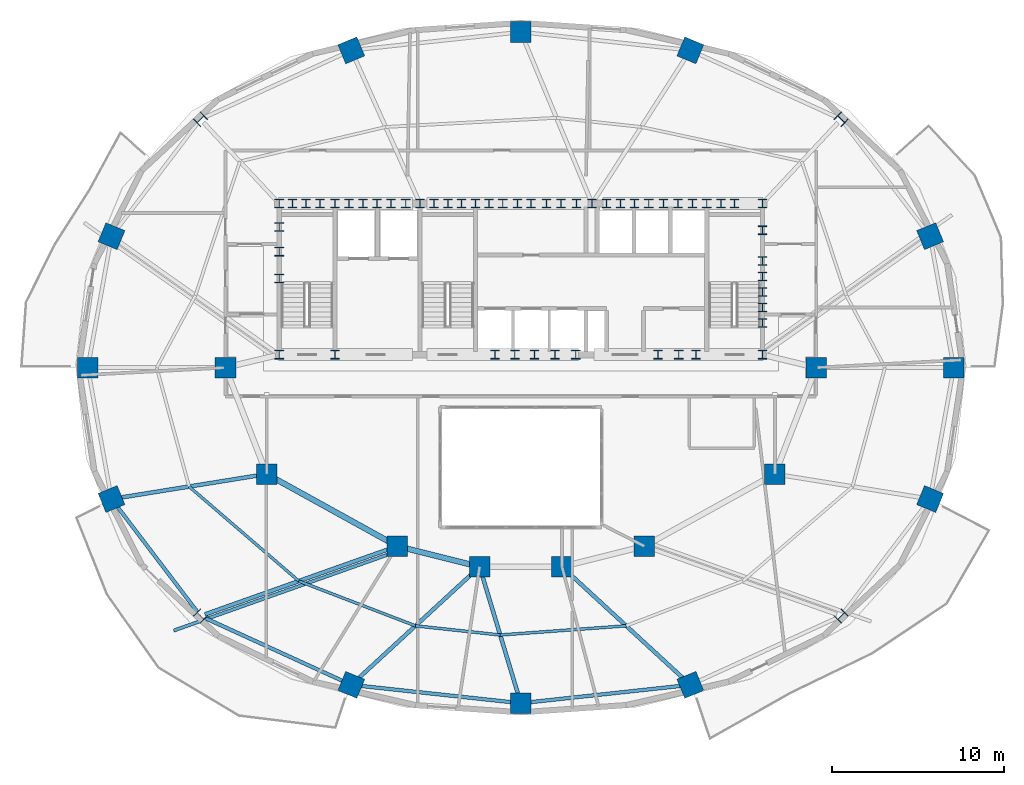
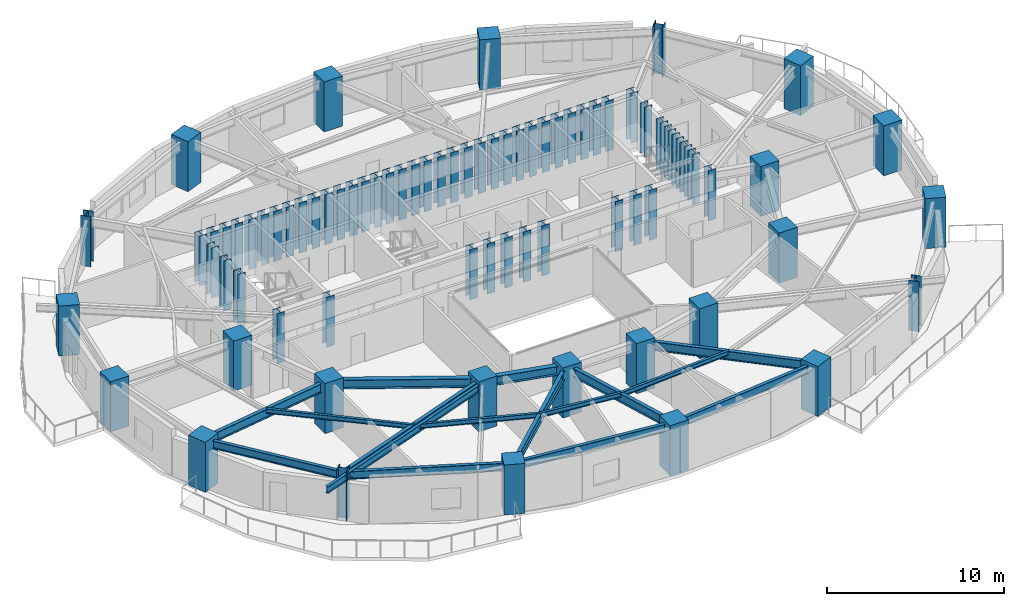
# One storey, part 1 of 11: 78 columns, 16 beams.
"""IFC4 building model written with IfcOpenShell, lengths in metres."""

from ifc_helpers import new_model, si_unit, direction, frame, origin, origin_2d, place, context, subcontext, project, spatial, rectangle, i_section, extrude, material, material_profile, profile_set, type_object, element, save


model = new_model("IFC4")

# Units and contexts
model_context = context("Model", 3, precision=1e-05, world=origin(), true_north=direction((0.0, 1.0)))
body_context = subcontext(model_context, "Body", "Model", "MODEL_VIEW")
ifc_project = project(units=[si_unit("LENGTHUNIT", "METRE"), si_unit("AREAUNIT", "SQUARE_METRE"), si_unit("VOLUMEUNIT", "CUBIC_METRE"), si_unit("PLANEANGLEUNIT", "RADIAN"), si_unit("MASSUNIT", "GRAM", prefix="KILO")], contexts=[model_context])

# Site, building, storey
site_placement = place(None, origin())
site = spatial("IfcSite", under=ifc_project, at=site_placement, CompositionType="ELEMENT")
building_placement = place(site_placement, origin())
building = spatial("IfcBuilding", under=site, at=building_placement, Name="Haldorwick Loom Tower", CompositionType="ELEMENT")
storey_placement = place(building_placement, frame((0.0, 0.0, 164.800048828125)))
storey = spatial("IfcBuildingStorey", under=building, at=storey_placement, Name="L44", CompositionType="ELEMENT", Elevation=164.800048828125)

# Columns
ifc_material_1 = material(Name="Concrete C60 (60 MPa)", Category="concrete")
ifc_material_profile_1 = material_profile(ifc_material_1, rectangle(XDim=1.199951171875, YDim=1.199951171875, at=origin_2d()), Name="RC1200X1200", Category="concrete")
ifc_profile_set_1 = profile_set([ifc_material_profile_1], Name="Concrete C60 (60 MPa)")
column_type_1 = type_object("IfcColumnType", Name="STR-COL-RC1200", PredefinedType="COLUMN", material=ifc_profile_set_1)
for number, where, z_axis, x_axis, name in (
    (1, (53.199951171875, 26.0, 0.0), (0.0, 0.0, 1.0), (1.0, 0.0, 0.0), "L44 Inner Column IC-01"),
    (2, (50.800048828125, 19.800048828125, 0.0), (0.0, 0.0, 1.0), (1.0, 0.0, 0.0), "L44 Inner Column IC-02"),
    (3, (43.199951171875, 15.60009765625, 0.0), (0.0, 0.0, 1.0), (1.0, 0.0, 0.0), "L44 Inner Column IC-03"),
    (4, (38.39990234375, 14.39990234375, 0.0), (0.0, 0.0, 1.0), (1.0, 0.0, 0.0), "L44 Inner Column IC-04"),
    (5, (33.60009765625, 14.39990234375, 0.0), (0.0, 0.0, 1.0), (1.0, 0.0, 0.0), "L44 Inner Column IC-05"),
    (6, (28.800048828125, 15.60009765625, 0.0), (0.0, 0.0, 1.0), (1.0, 0.0, 0.0), "L44 Inner Column IC-06"),
    (7, (21.199951171875, 19.800048828125, 0.0), (0.0, 0.0, 1.0), (1.0, 0.0, 0.0), "L44 Inner Column IC-07"),
    (8, (18.800048828125, 26.0, 0.0), (0.0, 0.0, 1.0), (1.0, 0.0, 0.0), "L44 Inner Column IC-08"),
    (9, (61.217041015625, 26.0, 0.0), (0.0, 0.0, 1.0), (1.0, 0.0, 0.0), "L44 Perimeter Pier Column P01"),
    (10, (59.836181640625, 33.65380859375, 0.0), (0.0, 0.0, 1.0), (0.923879532511, 0.382683432365, 0.0), "L44 Perimeter Pier Column P02"),
    (11, (45.873291015625, 44.4775390625, 0.0), (0.0, 0.0, 1.0), (0.382683432365, 0.923879532511, 0.0), "L44 Perimeter Pier Column P04"),
    (12, (36.0, 45.544677734375, 0.0), (0.0, 0.0, 1.0), (0.0, 1.0, 0.0), "L44 Perimeter Pier Column P05"),
    (13, (26.126708984375, 44.4775390625, 0.0), (0.0, 0.0, 1.0), (-0.382683432365, 0.923879532511, 0.0), "L44 Perimeter Pier Column P06"),
    (14, (12.163818359375, 33.65380859375, 0.0), (0.0, 0.0, 1.0), (-0.923879532511, 0.382683432365, 0.0), "L44 Perimeter Pier Column P08"),
    (15, (10.782958984375, 26.0, 0.0), (0.0, 0.0, 1.0), (-1.0, 0.0, 0.0), "L44 Perimeter Pier Column P09"),
    (16, (12.163818359375, 18.34619140625, 0.0), (0.0, 0.0, 1.0), (-0.923879532511, -0.382683432365, 0.0), "L44 Perimeter Pier Column P10"),
    (17, (26.126708984375, 7.5224609375, 0.0), (0.0, 0.0, 1.0), (-0.382683432365, -0.923879532511, 0.0), "L44 Perimeter Pier Column P12"),
    (18, (36.0, 6.455322265625, 0.0), (0.0, 0.0, 1.0), (0.0, -1.0, 0.0), "L44 Perimeter Pier Column P13"),
    (19, (45.873291015625, 7.5224609375, 0.0), (0.0, 0.0, 1.0), (0.382683432365, -0.923879532511, 0.0), "L44 Perimeter Pier Column P14"),
    (20, (59.836181640625, 18.34619140625, 0.0), (0.0, 0.0, 1.0), (0.923879532511, -0.382683432365, 0.0), "L44 Perimeter Pier Column P16"),
):
    element("IfcColumn", number, at=place(storey_placement, frame(where, z_axis=z_axis, x_axis=x_axis)), inside=storey, type_object=column_type_1, Name=name, PredefinedType="COLUMN", context=body_context, shape_type="SweptSolid", body=[
        extrude(rectangle(XDim=1.199951171875, YDim=1.199951171875, at=origin_2d()), origin(), (0.0, 0.0, 1.0), 3.449951171875),
    ])
ifc_material_2 = material(Name="Steel CSA G40.21 350WT", Category="steel")
ifc_material_profile_2 = material_profile(ifc_material_2, i_section(OverallWidth=0.5, OverallDepth=0.5, WebThickness=0.02197265625, FlangeThickness=0.031982421875, at=origin_2d()), Name="WWF500X500", Category="steel")
ifc_profile_set_2 = profile_set([ifc_material_profile_2], Name="Steel CSA G40.21 350WT")
column_type_2 = type_object("IfcColumnType", Name="STR-COL-WWF500", PredefinedType="COLUMN", material=ifc_profile_set_2)
for number, where, z_axis, x_axis, name in (
    (21, (21.929931640625, 35.550048828125, 0.0), (0.0, 0.0, 1.0), (1.0, 0.0, 0.0), "L44 Core Pilaster CB-01"),
    (22, (23.5, 35.550048828125, 0.0), (0.0, 0.0, 1.0), (1.0, 0.0, 0.0), "L44 Core Pilaster CB-02"),
    (23, (25.169921875, 35.550048828125, 0.0), (0.0, 0.0, 1.0), (1.0, 0.0, 0.0), "L44 Core Pilaster CB-03"),
    (24, (26.800048828125, 35.550048828125, 0.0), (0.0, 0.0, 1.0), (1.0, 0.0, 0.0), "L44 Core Pilaster CB-04"),
    (25, (28.449951171875, 35.550048828125, 0.0), (0.0, 0.0, 1.0), (1.0, 0.0, 0.0), "L44 Core Pilaster CB-05"),
    (26, (30.1298828125, 35.550048828125, 0.0), (0.0, 0.0, 1.0), (1.0, 0.0, 0.0), "L44 Core Pilaster CB-06"),
    (27, (31.75, 35.550048828125, 0.0), (0.0, 0.0, 1.0), (1.0, 0.0, 0.0), "L44 Core Pilaster CB-07"),
    (28, (33.3701171875, 35.550048828125, 0.0), (0.0, 0.0, 1.0), (1.0, 0.0, 0.0), "L44 Core Pilaster CB-08"),
    (29, (34.949951171875, 35.550048828125, 0.0), (0.0, 0.0, 1.0), (1.0, 0.0, 0.0), "L44 Core Pilaster CB-09"),
    (30, (36.60009765625, 35.550048828125, 0.0), (0.0, 0.0, 1.0), (1.0, 0.0, 0.0), "L44 Core Pilaster CB-10"),
    (31, (38.35009765625, 35.550048828125, 0.0), (0.0, 0.0, 1.0), (1.0, 0.0, 0.0), "L44 Core Pilaster CB-11"),
    (32, (40.14990234375, 35.550048828125, 0.0), (0.0, 0.0, 1.0), (1.0, 0.0, 0.0), "L44 Core Pilaster CB-12"),
    (33, (41.800048828125, 35.550048828125, 0.0), (0.0, 0.0, 1.0), (1.0, 0.0, 0.0), "L44 Core Pilaster CB-13"),
    (34, (43.449951171875, 35.550048828125, 0.0), (0.0, 0.0, 1.0), (1.0, 0.0, 0.0), "L44 Core Pilaster CB-14"),
    (35, (45.14990234375, 35.550048828125, 0.0), (0.0, 0.0, 1.0), (1.0, 0.0, 0.0), "L44 Core Pilaster CB-15"),
    (36, (46.830078125, 35.550048828125, 0.0), (0.0, 0.0, 1.0), (1.0, 0.0, 0.0), "L44 Core Pilaster CB-16"),
    (37, (48.449951171875, 35.550048828125, 0.0), (0.0, 0.0, 1.0), (1.0, 0.0, 0.0), "L44 Core Pilaster CB-17"),
    (38, (50.070068359375, 35.550048828125, 0.0), (0.0, 0.0, 1.0), (1.0, 0.0, 0.0), "L44 Core Pilaster CB-18"),
    (39, (21.929931640625, 26.75, 0.0), (0.0, 0.0, 1.0), (1.0, 0.0, 0.0), "L44 Core Pilaster CB-19"),
    (40, (25.169921875, 26.75, 0.0), (0.0, 0.0, 1.0), (1.0, 0.0, 0.0), "L44 Core Pilaster CB-20"),
    (41, (34.5, 26.75, 0.0), (0.0, 0.0, 1.0), (1.0, 0.0, 0.0), "L44 Core Pilaster CB-21"),
    (42, (36.800048828125, 26.75, 0.0), (0.0, 0.0, 1.0), (1.0, 0.0, 0.0), "L44 Core Pilaster CB-22"),
    (43, (39.199951171875, 26.75, 0.0), (0.0, 0.0, 1.0), (1.0, 0.0, 0.0), "L44 Core Pilaster CB-23"),
    (44, (45.199951171875, 26.75, 0.0), (0.0, 0.0, 1.0), (1.0, 0.0, 0.0), "L44 Core Pilaster CB-24"),
    (45, (50.070068359375, 26.75, 0.0), (0.0, 0.0, 1.0), (1.0, 0.0, 0.0), "L44 Core Pilaster CB-25"),
    (46, (21.929931640625, 31.199951171875, 0.0), (0.0, 0.0, 1.0), (1.0, 0.0, 0.0), "L44 Core Pilaster CB-26"),
    (47, (21.929931640625, 32.75, 0.0), (0.0, 0.0, 1.0), (1.0, 0.0, 0.0), "L44 Core Pilaster CB-27"),
    (48, (21.929931640625, 34.199951171875, 0.0), (0.0, 0.0, 1.0), (1.0, 0.0, 0.0), "L44 Core Pilaster CB-28"),
    (49, (50.070068359375, 28.60009765625, 0.0), (0.0, 0.0, 1.0), (1.0, 0.0, 0.0), "L44 Core Pilaster CB-29"),
    (50, (50.070068359375, 30.39990234375, 0.0), (0.0, 0.0, 1.0), (1.0, 0.0, 0.0), "L44 Core Pilaster CB-30"),
    (51, (50.070068359375, 32.199951171875, 0.0), (0.0, 0.0, 1.0), (1.0, 0.0, 0.0), "L44 Core Pilaster CB-31"),
    (52, (50.070068359375, 34.0, 0.0), (0.0, 0.0, 1.0), (1.0, 0.0, 0.0), "L44 Core Pilaster CB-32"),
    (53, (22.699951171875, 35.550048828125, 0.0), (0.0, 0.0, 1.0), (1.0, 0.0, 0.0), "L44 Core Pilaster CB-33"),
    (54, (27.6201171875, 35.550048828125, 0.0), (0.0, 0.0, 1.0), (1.0, 0.0, 0.0), "L44 Core Pilaster CB-34"),
    (55, (32.550048828125, 35.550048828125, 0.0), (0.0, 0.0, 1.0), (1.0, 0.0, 0.0), "L44 Core Pilaster CB-35"),
    (56, (37.5, 35.550048828125, 0.0), (0.0, 0.0, 1.0), (1.0, 0.0, 0.0), "L44 Core Pilaster CB-36"),
    (57, (42.6201171875, 35.550048828125, 0.0), (0.0, 0.0, 1.0), (1.0, 0.0, 0.0), "L44 Core Pilaster CB-37"),
    (58, (47.64990234375, 35.550048828125, 0.0), (0.0, 0.0, 1.0), (1.0, 0.0, 0.0), "L44 Core Pilaster CB-38"),
    (59, (24.300048828125, 35.550048828125, 0.0), (0.0, 0.0, 1.0), (1.0, 0.0, 0.0), "L44 Core Pilaster CB-39"),
    (60, (26.0, 35.550048828125, 0.0), (0.0, 0.0, 1.0), (1.0, 0.0, 0.0), "L44 Core Pilaster CB-40"),
    (61, (29.300048828125, 35.550048828125, 0.0), (0.0, 0.0, 1.0), (1.0, 0.0, 0.0), "L44 Core Pilaster CB-41"),
    (62, (30.949951171875, 35.550048828125, 0.0), (0.0, 0.0, 1.0), (1.0, 0.0, 0.0), "L44 Core Pilaster CB-42"),
    (63, (34.14990234375, 35.550048828125, 0.0), (0.0, 0.0, 1.0), (1.0, 0.0, 0.0), "L44 Core Pilaster CB-43"),
    (64, (35.800048828125, 35.550048828125, 0.0), (0.0, 0.0, 1.0), (1.0, 0.0, 0.0), "L44 Core Pilaster CB-44"),
    (65, (39.25, 35.550048828125, 0.0), (0.0, 0.0, 1.0), (1.0, 0.0, 0.0), "L44 Core Pilaster CB-45"),
    (66, (41.0, 35.550048828125, 0.0), (0.0, 0.0, 1.0), (1.0, 0.0, 0.0), "L44 Core Pilaster CB-46"),
    (67, (44.300048828125, 35.550048828125, 0.0), (0.0, 0.0, 1.0), (1.0, 0.0, 0.0), "L44 Core Pilaster CB-47"),
    (68, (46.0, 35.550048828125, 0.0), (0.0, 0.0, 1.0), (1.0, 0.0, 0.0), "L44 Core Pilaster CB-48"),
    (69, (50.070068359375, 29.5, 0.0), (0.0, 0.0, 1.0), (1.0, 0.0, 0.0), "L44 Core Pilaster CB-49"),
    (70, (50.070068359375, 31.300048828125, 0.0), (0.0, 0.0, 1.0), (1.0, 0.0, 0.0), "L44 Core Pilaster CB-50"),
    (71, (35.64990234375, 26.75, 0.0), (0.0, 0.0, 1.0), (1.0, 0.0, 0.0), "L44 Core Pilaster CB-51"),
    (72, (38.0, 26.75, 0.0), (0.0, 0.0, 1.0), (1.0, 0.0, 0.0), "L44 Core Pilaster CB-52"),
    (73, (44.0, 26.75, 0.0), (0.0, 0.0, 1.0), (1.0, 0.0, 0.0), "L44 Core Pilaster CB-53"),
    (74, (46.199951171875, 26.75, 0.0), (0.0, 0.0, 1.0), (1.0, 0.0, 0.0), "L44 Core Pilaster CB-54"),
):
    element("IfcColumn", number, at=place(storey_placement, frame(where, z_axis=z_axis, x_axis=x_axis)), inside=storey, type_object=column_type_2, Name=name, PredefinedType="COLUMN", context=body_context, shape_type="SweptSolid", body=[
        extrude(i_section(OverallWidth=0.5, OverallDepth=0.5, WebThickness=0.02197265625, FlangeThickness=0.031982421875, at=origin_2d()), origin(), (0.0, 0.0, 1.0), 3.449951171875),
    ])
ifc_material_profile_3 = material_profile(ifc_material_2, i_section(OverallWidth=0.60009765625, OverallDepth=0.60009765625, WebThickness=0.02490234375, FlangeThickness=0.035888671875, at=origin_2d()), Name="WWF600X600", Category="steel")
ifc_profile_set_3 = profile_set([ifc_material_profile_3], Name="Steel CSA G40.21 350WT")
column_type_3 = type_object("IfcColumnType", Name="STR-COL-WWF600", PredefinedType="COLUMN", material=ifc_profile_set_3)
for number, where, z_axis, x_axis, name in (
    (75, (54.655517578125, 40.464111328125, 0.0), (0.0, 0.0, 1.0), (0.707106781187, 0.707106781187, 0.0), "L44 Perimeter Pier Column P03"),
    (76, (17.344482421875, 40.464111328125, 0.0), (0.0, 0.0, 1.0), (-0.707106781187, 0.707106781187, 0.0), "L44 Perimeter Pier Column P07"),
    (77, (17.344482421875, 11.535888671875, 0.0), (0.0, 0.0, 1.0), (-0.707106781187, -0.707106781187, 0.0), "L44 Perimeter Pier Column P11"),
    (78, (54.655517578125, 11.535888671875, 0.0), (0.0, 0.0, 1.0), (0.707106781187, -0.707106781187, 0.0), "L44 Perimeter Pier Column P15"),
):
    element("IfcColumn", number, at=place(storey_placement, frame(where, z_axis=z_axis, x_axis=x_axis)), inside=storey, type_object=column_type_3, Name=name, PredefinedType="COLUMN", context=body_context, shape_type="SweptSolid", body=[
        extrude(i_section(OverallWidth=0.60009765625, OverallDepth=0.60009765625, WebThickness=0.02490234375, FlangeThickness=0.035888671875, at=origin_2d()), origin(), (0.0, 0.0, 1.0), 3.449951171875),
    ])

# Beams
ifc_material_3 = material(Name="Steel CSA G40.21 350W", Category="steel")
ifc_material_profile_4 = material_profile(ifc_material_3, i_section(OverallWidth=0.193115234375, OverallDepth=0.466064453125, WebThickness=0.011474609375, FlangeThickness=0.01904296875, at=origin_2d()), Name="W460X97", Category="steel")
ifc_profile_set_4 = profile_set([ifc_material_profile_4], Name="Steel CSA G40.21 350W")
beam_type_1 = type_object("IfcBeamType", Name="STR-BM-BAL460", PredefinedType="BEAM", material=ifc_profile_set_4)
beam_1_placement = place(storey_placement, frame((28.403564453125, 15.162109375, 2.97705078125), z_axis=(-0.942447955832, -0.334352883266, 0.0), x_axis=(0.334352883266, -0.942447955832, 0.0)))
element("IfcBeam", 79, at=beam_1_placement, inside=storey, type_object=beam_type_1, Name="L44 Continuous Back-Spanned Balcony Beam 2", PredefinedType="BEAM", context=body_context, shape_type="SweptSolid", body=[
    extrude(i_section(OverallWidth=0.193115234375, OverallDepth=0.466064453125, WebThickness=0.011474609375, FlangeThickness=0.01904296875, at=origin_2d()), origin(), (0.0, 0.0, 1.0), 13.385009765625),
])
ifc_material_profile_5 = material_profile(ifc_material_3, i_section(OverallWidth=0.166015625, OverallDepth=0.31298828125, WebThickness=0.006591796875, FlangeThickness=0.01123046875, at=origin_2d()), Name="W310X45", Category="steel")
ifc_profile_set_5 = profile_set([ifc_material_profile_5], Name="Steel CSA G40.21 350W")
beam_type_2 = type_object("IfcBeamType", Name="STR-BM-J310", PredefinedType="JOIST", material=ifc_profile_set_5)
beam_2_placement = place(storey_placement, frame((16.681884765625, 19.072998046875, 3.053466796875), z_axis=(0.75763401328, -0.652679631918, 0.0), x_axis=(0.652679631918, 0.75763401328, 0.0)))
element("IfcBeam", 80, at=beam_2_placement, inside=storey, type_object=beam_type_2, Name="L44 Mid-Bay Secondary Joist 10", PredefinedType="JOIST", context=body_context, shape_type="SweptSolid", body=[
    extrude(i_section(OverallWidth=0.166015625, OverallDepth=0.31298828125, WebThickness=0.006591796875, FlangeThickness=0.01123046875, at=origin_2d()), origin(), (0.0, 0.0, 1.0), 8.4345703125),
])
beam_3_placement = place(storey_placement, frame((23.072265625, 13.56787109375, 3.053466796875), z_axis=(0.933586737031, -0.358351509609, 0.0), x_axis=(0.358351509609, 0.933586737031, 0.0)))
element("IfcBeam", 81, at=beam_3_placement, inside=storey, type_object=beam_type_2, Name="L44 Mid-Bay Secondary Joist 11", PredefinedType="JOIST", context=body_context, shape_type="SweptSolid", body=[
    extrude(i_section(OverallWidth=0.166015625, OverallDepth=0.31298828125, WebThickness=0.006591796875, FlangeThickness=0.01123046875, at=origin_2d()), origin(), (0.0, 0.0, 1.0), 7.274169921875),
])
beam_4_placement = place(storey_placement, frame((29.86328125, 10.961181640625, 3.053466796875), z_axis=(0.994212584227, -0.107430616514, 0.0), x_axis=(0.107430616514, 0.994212584227, 0.0)))
element("IfcBeam", 82, at=beam_4_placement, inside=storey, type_object=beam_type_2, Name="L44 Mid-Bay Secondary Joist 12", PredefinedType="JOIST", context=body_context, shape_type="SweptSolid", body=[
    extrude(i_section(OverallWidth=0.166015625, OverallDepth=0.31298828125, WebThickness=0.006591796875, FlangeThickness=0.01123046875, at=origin_2d()), origin(), (0.0, 0.0, 1.0), 4.965576171875),
])
beam_5_placement = place(storey_placement, frame((34.800048828125, 10.427734375, 3.053466796875), z_axis=(0.997367082818, 0.072518288109, 0.0), x_axis=(-0.072518288109, 0.997367082818, 0.0)))
element("IfcBeam", 83, at=beam_5_placement, inside=storey, type_object=beam_type_2, Name="L44 Mid-Bay Secondary Joist 13", PredefinedType="JOIST", context=body_context, shape_type="SweptSolid", body=[
    extrude(i_section(OverallWidth=0.166015625, OverallDepth=0.31298828125, WebThickness=0.006591796875, FlangeThickness=0.01123046875, at=origin_2d()), origin(), (0.0, 0.0, 1.0), 7.35595703125),
])
ifc_material_profile_6 = material_profile(ifc_material_3, i_section(OverallWidth=0.2119140625, OverallDepth=0.5439453125, WebThickness=0.01318359375, FlangeThickness=0.021240234375, at=origin_2d()), Name="W530X123", Category="steel")
ifc_profile_set_6 = profile_set([ifc_material_profile_6], Name="Steel CSA G40.21 350W")
beam_type_3 = type_object("IfcBeamType", Name="STR-BM-SP530", PredefinedType="SPANDREL", material=ifc_profile_set_6)
beam_6_placement = place(storey_placement, frame((12.478759765625, 17.932373046875, 2.93798828125), z_axis=(0.605421356486, -0.795905133236, 0.0), x_axis=(0.795905133236, 0.605421356486, 0.0)))
element("IfcBeam", 84, at=beam_6_placement, inside=storey, type_object=beam_type_3, Name="L44 Perimeter Spandrel 10", PredefinedType="SPANDREL", context=body_context, shape_type="SweptSolid", body=[
    extrude(i_section(OverallWidth=0.2119140625, OverallDepth=0.5439453125, WebThickness=0.01318359375, FlangeThickness=0.021240234375, at=origin_2d()), origin(), (0.0, 0.0, 1.0), 7.761962890625),
])
beam_7_placement = place(storey_placement, frame((17.594482421875, 11.42138671875, 2.93798828125), z_axis=(0.909534296496, -0.415628877121, 0.0), x_axis=(0.415628877121, 0.909534296496, 0.0)))
element("IfcBeam", 85, at=beam_7_placement, inside=storey, type_object=beam_type_3, Name="L44 Perimeter Spandrel 11", PredefinedType="SPANDREL", context=body_context, shape_type="SweptSolid", body=[
    extrude(i_section(OverallWidth=0.2119140625, OverallDepth=0.5439453125, WebThickness=0.01318359375, FlangeThickness=0.021240234375, at=origin_2d()), origin(), (0.0, 0.0, 1.0), 8.86083984375),
])
for number, where, z_axis, x_axis, name in (
    (86, (26.643798828125, 7.466552734375, 2.93798828125), (0.994210140187, -0.107453232386, 0.0), (0.107453232386, 0.994210140187, 0.0), "L44 Perimeter Spandrel 12"),
    (87, (36.51708984375, 6.51123046875, 2.93798828125), (0.994210140187, 0.107453232386, 0.0), (-0.107453232386, 0.994210140187, 0.0), "L44 Perimeter Spandrel 13"),
):
    element("IfcBeam", number, at=place(storey_placement, frame(where, z_axis=z_axis, x_axis=x_axis)), inside=storey, type_object=beam_type_3, Name=name, PredefinedType="SPANDREL", context=body_context, shape_type="SweptSolid", body=[
        extrude(i_section(OverallWidth=0.2119140625, OverallDepth=0.5439453125, WebThickness=0.01318359375, FlangeThickness=0.021240234375, at=origin_2d()), origin(), (0.0, 0.0, 1.0), 8.890625),
    ])
ifc_material_profile_7 = material_profile(ifc_material_3, i_section(OverallWidth=0.324951171875, OverallDepth=0.615966796875, WebThickness=0.013916015625, FlangeThickness=0.021484375, at=origin_2d()), Name="W610X174", Category="steel")
ifc_profile_set_7 = profile_set([ifc_material_profile_7], Name="Steel CSA G40.21 350W")
beam_type_4 = type_object("IfcBeamType", Name="STR-BM-W610A", PredefinedType="BEAM", material=ifc_profile_set_7)
beam_8_placement = place(storey_placement, frame((33.095458984375, 14.526123046875, 2.90185546875), z_axis=(-0.970142500145, 0.242535625036, 0.0), x_axis=(-0.242535625036, -0.970142500145, 0.0)))
element("IfcBeam", 88, at=beam_8_placement, inside=storey, type_object=beam_type_4, Name="L44 Inner Ring Girder 6", PredefinedType="BEAM", context=body_context, shape_type="SweptSolid", body=[
    extrude(i_section(OverallWidth=0.324951171875, OverallDepth=0.615966796875, WebThickness=0.013916015625, FlangeThickness=0.021484375, at=origin_2d()), origin(), (0.0, 0.0, 1.0), 3.90771484375),
])
beam_9_placement = place(storey_placement, frame((28.344970703125, 15.8515625, 2.90185546875), z_axis=(-0.875244382146, 0.483680960471, 0.0), x_axis=(-0.483680960471, -0.875244382146, 0.0)))
element("IfcBeam", 89, at=beam_9_placement, inside=storey, type_object=beam_type_4, Name="L44 Inner Ring Girder 7", PredefinedType="BEAM", context=body_context, shape_type="SweptSolid", body=[
    extrude(i_section(OverallWidth=0.324951171875, OverallDepth=0.615966796875, WebThickness=0.013916015625, FlangeThickness=0.021484375, at=origin_2d()), origin(), (0.0, 0.0, 1.0), 7.6435546875),
])
ifc_material_profile_8 = material_profile(ifc_material_3, i_section(OverallWidth=0.22998046875, OverallDepth=0.616943359375, WebThickness=0.01318359375, FlangeThickness=0.022216796875, at=origin_2d()), Name="W610X140", Category="steel")
ifc_profile_set_8 = profile_set([ifc_material_profile_8], Name="Steel CSA G40.21 350W")
beam_type_5 = type_object("IfcBeamType", Name="STR-BM-W610B", PredefinedType="BEAM", material=ifc_profile_set_8)
beam_10_placement = place(storey_placement, frame((20.6865234375, 19.71728515625, 2.9013671875), z_axis=(-0.987308639475, -0.158813256432, 0.0), x_axis=(0.158813256432, -0.987308639475, 0.0)))
element("IfcBeam", 90, at=beam_10_placement, inside=storey, type_object=beam_type_5, Name="L44 Radial Floor Girder 10", PredefinedType="BEAM", context=body_context, shape_type="SweptSolid", body=[
    extrude(i_section(OverallWidth=0.22998046875, OverallDepth=0.616943359375, WebThickness=0.01318359375, FlangeThickness=0.022216796875, at=origin_2d()), origin(), (0.0, 0.0, 1.0), 8.1123046875),
])
beam_11_placement = place(storey_placement, frame((28.309814453125, 15.426025390625, 2.9013671875), z_axis=(-0.9424463153, -0.334357507433, 0.0), x_axis=(0.334357507433, -0.9424463153, 0.0)))
element("IfcBeam", 91, at=beam_11_placement, inside=storey, type_object=beam_type_5, Name="L44 Radial Floor Girder 11", PredefinedType="BEAM", context=body_context, shape_type="SweptSolid", body=[
    extrude(i_section(OverallWidth=0.22998046875, OverallDepth=0.616943359375, WebThickness=0.01318359375, FlangeThickness=0.022216796875, at=origin_2d()), origin(), (0.0, 0.0, 1.0), 11.360107421875),
])
beam_12_placement = place(storey_placement, frame((33.21728515625, 14.0478515625, 2.9013671875), z_axis=(-0.735810902934, -0.677187060658, 0.0), x_axis=(0.677187060658, -0.735810902934, 0.0)))
element("IfcBeam", 92, at=beam_12_placement, inside=storey, type_object=beam_type_5, Name="L44 Radial Floor Girder 12", PredefinedType="BEAM", context=body_context, shape_type="SweptSolid", body=[
    extrude(i_section(OverallWidth=0.22998046875, OverallDepth=0.616943359375, WebThickness=0.01318359375, FlangeThickness=0.022216796875, at=origin_2d()), origin(), (0.0, 0.0, 1.0), 9.1162109375),
])
beam_13_placement = place(storey_placement, frame((33.75048828125, 13.902099609375, 2.9013671875), z_axis=(0.28917091681, -0.957277483738, 0.0), x_axis=(0.957277483738, 0.28917091681, 0.0)))
element("IfcBeam", 93, at=beam_13_placement, inside=storey, type_object=beam_type_5, Name="L44 Radial Floor Girder 13", PredefinedType="BEAM", context=body_context, shape_type="SweptSolid", body=[
    extrude(i_section(OverallWidth=0.22998046875, OverallDepth=0.616943359375, WebThickness=0.01318359375, FlangeThickness=0.022216796875, at=origin_2d()), origin(), (0.0, 0.0, 1.0), 7.259033203125),
])
beam_14_placement = place(storey_placement, frame((38.78271484375, 14.0478515625, 2.9013671875), z_axis=(0.735810902934, -0.677187060658, 0.0), x_axis=(0.677187060658, 0.735810902934, 0.0)))
element("IfcBeam", 94, at=beam_14_placement, inside=storey, type_object=beam_type_5, Name="L44 Radial Floor Girder 14", PredefinedType="BEAM", context=body_context, shape_type="SweptSolid", body=[
    extrude(i_section(OverallWidth=0.22998046875, OverallDepth=0.616943359375, WebThickness=0.01318359375, FlangeThickness=0.022216796875, at=origin_2d()), origin(), (0.0, 0.0, 1.0), 9.1162109375),
])

save(model, "model.ifc")
